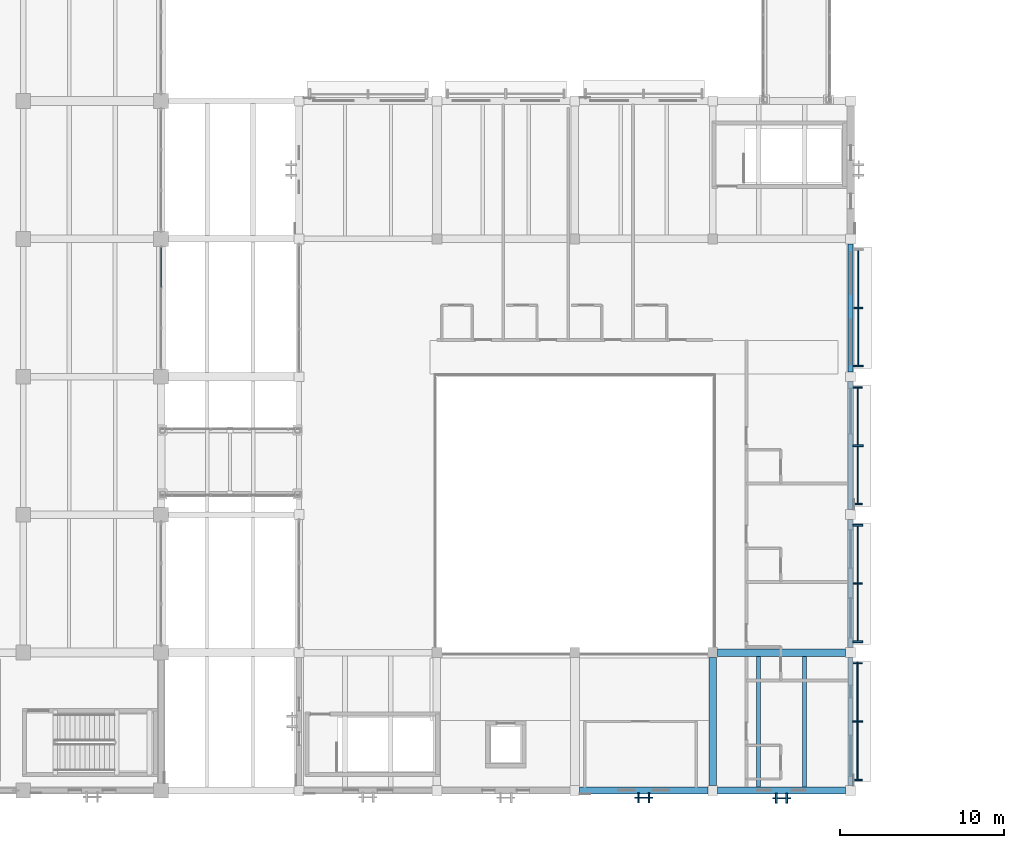
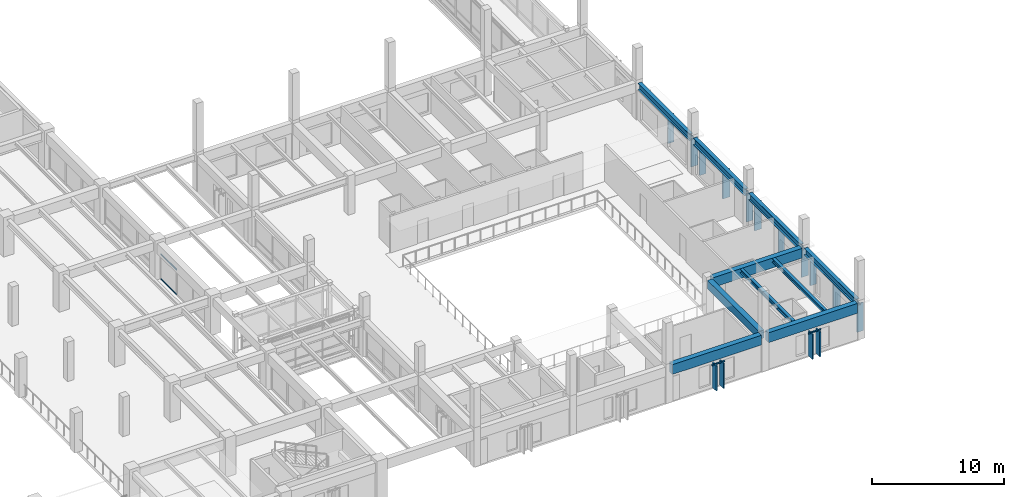
# One storey, part 22 of 118: 23 members, 10 beams, 7 elements without a shape of their own.
"""IFC4 building model written with IfcOpenShell, lengths in metres."""

from ifc_helpers import new_model, si_unit, direction, frame, origin, origin_2d, place, context, subcontext, project, spatial, rectangle, i_section, extrude, material, material_profile, profile_set, type_object, element, aggregate, save


model = new_model("IFC4")

# Units and contexts
model_context = context("Model", 3, precision=1e-05, world=origin(), true_north=direction((0.0, 1.0)))
body_context = subcontext(model_context, "Body", "Model", "MODEL_VIEW")
ifc_project = project(units=[si_unit("LENGTHUNIT", "METRE"), si_unit("AREAUNIT", "SQUARE_METRE"), si_unit("VOLUMEUNIT", "CUBIC_METRE"), si_unit("PLANEANGLEUNIT", "RADIAN"), si_unit("MASSUNIT", "GRAM", prefix="KILO")], contexts=[model_context])

# Site, building, storey
site_placement = place(None, origin())
site = spatial("IfcSite", under=ifc_project, at=site_placement, CompositionType="ELEMENT")
building_placement = place(site_placement, origin())
building = spatial("IfcBuilding", under=site, at=building_placement, Name="Cumbredor Promenade Congress Hotel", CompositionType="ELEMENT")
storey_placement = place(building_placement, frame((0.0, 0.0, 3.919921875)))
storey = spatial("IfcBuildingStorey", under=building, at=storey_placement, Name="L01", CompositionType="ELEMENT", Elevation=3.919921875)

# Beam
ifc_material_1 = material(Name="Concrete C40/50", Category="concrete")
ifc_material_profile_1 = material_profile(ifc_material_1, rectangle(XDim=0.449951171875, YDim=0.75, at=origin_2d()), Name="RC BEAM 450x750")
ifc_profile_set_1 = profile_set([ifc_material_profile_1], Name="Concrete C40/50")
beam_type_1 = type_object("IfcBeamType", Name="BM-RC-450x750", PredefinedType="BEAM", material=ifc_profile_set_1)
beam_1_placement = place(storey_placement, frame((100.800048828125, 8.699951171875, 2.985107421875), z_axis=(0.0, 1.0, 0.0), x_axis=(-1.0, 0.0, 0.0)))
element("IfcBeam", 1, at=beam_1_placement, inside=storey, type_object=beam_type_1, Name="L02 Y-Grid Beam 182", PredefinedType="BEAM", context=body_context, shape_type="SweptSolid", body=[
    extrude(rectangle(XDim=0.449951171875, YDim=0.75, at=origin_2d()), origin(), (0.0, 0.0, 1.0), 7.800048828125),
])

# Curtain wall, members
ifc_material_2 = material(Name="Thermally broken anodized aluminium and low-E glass", Category="aluminium")
curtain_wall_type_1 = type_object("IfcCurtainWallType", Name="Unitised Bronze Curtain Wall CW-01", PredefinedType="NOTDEFINED", material=ifc_material_2)
curtain_wall_1_placement = place(storey_placement, origin())
curtain_wall_1 = element("IfcCurtainWall", 2, at=curtain_wall_1_placement, inside=storey, type_object=curtain_wall_type_1, Name="L01 Plenary Congress Hall East Curtain Wall 4", PredefinedType="NOTDEFINED")
ifc_material_3 = material(Name="Thermally broken anodized aluminium", Category="aluminium")
ifc_material_profile_2 = material_profile(ifc_material_3, rectangle(XDim=0.06494140625, YDim=0.1298828125, at=origin_2d()), Name="ALU TRANSOM 65x130")
ifc_profile_set_2 = profile_set([ifc_material_profile_2], Name="Thermally broken anodized aluminium")
member_type_1 = type_object("IfcMemberType", Name="Curtain Wall Transom TR-01", PredefinedType="USERDEFINED", material=ifc_profile_set_2)
member_1_placement = place(storey_placement, frame((67.199951171875, 39.064208984375, 0.06005859375), z_axis=(0.0, 1.0, 0.0), x_axis=(-1.0, 0.0, 0.0)))
member_1 = element("IfcMember", 3, at=member_1_placement, type_object=member_type_1, Name="L01 Plenary Congress Hall East Curtain Wall 4 Transom 3.1", ObjectType="TRANSOM", PredefinedType="USERDEFINED", context=body_context, shape_type="SweptSolid", body=[
    extrude(rectangle(XDim=0.06494140625, YDim=0.1298828125, at=origin_2d()), origin(), (0.0, 0.0, 1.0), 2.398193359375),
])
member_2_placement = place(storey_placement, frame((67.199951171875, 39.064208984375, 2.330078125), z_axis=(0.0, 1.0, 0.0), x_axis=(-1.0, 0.0, 0.0)))
member_2 = element("IfcMember", 4, at=member_2_placement, type_object=member_type_1, Name="L01 Plenary Congress Hall East Curtain Wall 4 Transom 3.2", ObjectType="TRANSOM", PredefinedType="USERDEFINED", context=body_context, shape_type="SweptSolid", body=[
    extrude(rectangle(XDim=0.06494140625, YDim=0.1298828125, at=origin_2d()), origin(), (0.0, 0.0, 1.0), 2.398193359375),
])
aggregate(curtain_wall_1, [member_1, member_2])

# Curtain wall, member
curtain_wall_type_2 = type_object("IfcCurtainWallType", Name="Solar Brise-Soleil Screen Assembly CW-07", PredefinedType="NOTDEFINED", material=ifc_material_2)
curtain_wall_2_placement = place(storey_placement, origin())
curtain_wall_2 = element("IfcCurtainWall", 5, at=curtain_wall_2_placement, inside=storey, type_object=curtain_wall_type_2, Name="L01 Pier Brise-Soleil Screen 0190", PredefinedType="NOTDEFINED")
member_3_placement = place(storey_placement, frame((96.050048828125, 7.949951171875, 2.28515625), z_axis=(1.0, 0.0, 0.0), x_axis=(0.0, 1.0, 0.0)))
member_3 = element("IfcMember", 6, at=member_3_placement, type_object=member_type_1, Name="L01 Pier Brise-Soleil Header 0192", ObjectType="TRANSOM", PredefinedType="USERDEFINED", context=body_context, shape_type="SweptSolid", body=[
    extrude(rectangle(XDim=0.06494140625, YDim=0.1298828125, at=origin_2d()), origin(), (0.0, 0.0, 1.0), 1.099853515625),
])

curtain_wall_3_placement = place(storey_placement, origin())
curtain_wall_3 = element("IfcCurtainWall", 7, at=curtain_wall_3_placement, inside=storey, type_object=curtain_wall_type_2, Name="L01 Pier Brise-Soleil Screen 0193", PredefinedType="NOTDEFINED")
member_4_placement = place(storey_placement, frame((104.449951171875, 7.927490234375, 2.28515625), z_axis=(1.0, 0.0, 0.0), x_axis=(0.0, 1.0, 0.0)))
member_4 = element("IfcMember", 8, at=member_4_placement, type_object=member_type_1, Name="L01 Pier Brise-Soleil Header 0195", ObjectType="TRANSOM", PredefinedType="USERDEFINED", context=body_context, shape_type="SweptSolid", body=[
    extrude(rectangle(XDim=0.06494140625, YDim=0.1298828125, at=origin_2d()), origin(), (0.0, 0.0, 1.0), 1.10009765625),
])

curtain_wall_4_placement = place(storey_placement, origin())
curtain_wall_4 = element("IfcCurtainWall", 9, at=curtain_wall_4_placement, inside=storey, type_object=curtain_wall_type_2, Name="L01 Hospitality Brise-Soleil Screen 004", PredefinedType="NOTDEFINED")
member_5_placement = place(storey_placement, frame((109.62255859375, 9.0009765625, 2.55419921875), z_axis=(0.0, 1.0, 0.0), x_axis=(-1.0, 0.0, 0.0)))
member_5 = element("IfcMember", 10, at=member_5_placement, type_object=member_type_1, Name="L01 Brise-Soleil Screen Transom 004", ObjectType="TRANSOM", PredefinedType="USERDEFINED", context=body_context, shape_type="SweptSolid", body=[
    extrude(rectangle(XDim=0.06494140625, YDim=0.1298828125, at=origin_2d()), origin(), (0.0, 0.0, 1.0), 7.197998046875),
])

curtain_wall_5_placement = place(storey_placement, origin())
curtain_wall_5 = element("IfcCurtainWall", 11, at=curtain_wall_5_placement, inside=storey, type_object=curtain_wall_type_2, Name="L01 Hospitality Brise-Soleil Screen 005", PredefinedType="NOTDEFINED")
member_6_placement = place(storey_placement, frame((109.635009765625, 17.40087890625, 2.55419921875), z_axis=(0.0, 1.0, 0.0), x_axis=(-1.0, 0.0, 0.0)))
member_6 = element("IfcMember", 12, at=member_6_placement, type_object=member_type_1, Name="L01 Brise-Soleil Screen Transom 005", ObjectType="TRANSOM", PredefinedType="USERDEFINED", context=body_context, shape_type="SweptSolid", body=[
    extrude(rectangle(XDim=0.06494140625, YDim=0.1298828125, at=origin_2d()), origin(), (0.0, 0.0, 1.0), 7.1982421875),
])

curtain_wall_6_placement = place(storey_placement, origin())
curtain_wall_6 = element("IfcCurtainWall", 13, at=curtain_wall_6_placement, inside=storey, type_object=curtain_wall_type_2, Name="L01 Hospitality Brise-Soleil Screen 006", PredefinedType="NOTDEFINED")
member_7_placement = place(storey_placement, frame((109.64990234375, 25.801025390625, 2.55419921875), z_axis=(0.0, 1.0, 0.0), x_axis=(-1.0, 0.0, 0.0)))
member_7 = element("IfcMember", 14, at=member_7_placement, type_object=member_type_1, Name="L01 Brise-Soleil Screen Transom 006", ObjectType="TRANSOM", PredefinedType="USERDEFINED", context=body_context, shape_type="SweptSolid", body=[
    extrude(rectangle(XDim=0.06494140625, YDim=0.1298828125, at=origin_2d()), origin(), (0.0, 0.0, 1.0), 7.197998046875),
])

curtain_wall_7_placement = place(storey_placement, origin())
curtain_wall_7 = element("IfcCurtainWall", 15, at=curtain_wall_7_placement, inside=storey, type_object=curtain_wall_type_2, Name="L01 Hospitality Brise-Soleil Screen 007", PredefinedType="NOTDEFINED")
member_8_placement = place(storey_placement, frame((109.672607421875, 34.200927734375, 2.55419921875), z_axis=(0.0, 1.0, 0.0), x_axis=(-1.0, 0.0, 0.0)))
member_8 = element("IfcMember", 16, at=member_8_placement, type_object=member_type_1, Name="L01 Brise-Soleil Screen Transom 007", ObjectType="TRANSOM", PredefinedType="USERDEFINED", context=body_context, shape_type="SweptSolid", body=[
    extrude(rectangle(XDim=0.06494140625, YDim=0.1298828125, at=origin_2d()), origin(), (0.0, 0.0, 1.0), 7.197998046875),
])

# Beams
ifc_material_4 = material(Name="Steel ASTM A992 Grade 50", Category="steel")
ifc_material_profile_3 = material_profile(ifc_material_4, i_section(OverallWidth=0.2548828125, OverallDepth=0.35693359375, WebThickness=0.010498046875, FlangeThickness=0.018310546875, at=origin_2d()), Name="W14X68")
ifc_profile_set_3 = profile_set([ifc_material_profile_3], Name="Steel ASTM A992 Grade 50")
beam_type_2 = type_object("IfcBeamType", Name="JST-W14X68", PredefinedType="JOIST", material=ifc_profile_set_3)
for number, where, z_axis, x_axis, name in (
    (17, (103.60009765625, 8.625, 3.181640625), (0.0, 1.0, 0.0), (-1.0, 0.0, 0.0), "L02 Secondary Floor Joist 0108"),
    (18, (106.39990234375, 8.625, 3.181640625), (0.0, 1.0, 0.0), (-1.0, 0.0, 0.0), "L02 Secondary Floor Joist 0109"),
):
    element("IfcBeam", number, at=place(storey_placement, frame(where, z_axis=z_axis, x_axis=x_axis)), inside=storey, type_object=beam_type_2, Name=name, PredefinedType="JOIST", context=body_context, shape_type="SweptSolid", body=[
        extrude(i_section(OverallWidth=0.2548828125, OverallDepth=0.35693359375, WebThickness=0.010498046875, FlangeThickness=0.018310546875, at=origin_2d()), origin(), (0.0, 0.0, 1.0), 7.949951171875),
    ])
ifc_material_profile_4 = material_profile(ifc_material_1, rectangle(XDim=0.449951171875, YDim=0.89990234375, at=origin_2d()), Name="RC SPANDREL 450x900")
ifc_profile_set_4 = profile_set([ifc_material_profile_4], Name="Concrete C40/50")
beam_type_3 = type_object("IfcBeamType", Name="SP-RC-450x900", PredefinedType="SPANDREL", material=ifc_profile_set_4)
beam_2_placement = place(storey_placement, frame((92.699951171875, 8.39990234375, 2.91015625), z_axis=(1.0, 0.0, 0.0), x_axis=(0.0, 1.0, 0.0)))
element("IfcBeam", 19, at=beam_2_placement, inside=storey, type_object=beam_type_3, Name="L02 X-Grid Beam 167", PredefinedType="SPANDREL", context=body_context, shape_type="SweptSolid", body=[
    extrude(rectangle(XDim=0.449951171875, YDim=0.89990234375, at=origin_2d()), origin(), (0.0, 0.0, 1.0), 7.800048828125),
])
for number, where, z_axis, x_axis, name in (
    (20, (101.10009765625, 8.39990234375, 2.91015625), (1.0, 0.0, 0.0), (0.0, 1.0, 0.0), "L02 X-Grid Beam 181"),
    (21, (101.10009765625, 16.800048828125, 2.91015625), (1.0, 0.0, 0.0), (0.0, 1.0, 0.0), "L02 X-Grid Beam 183"),
):
    element("IfcBeam", number, at=place(storey_placement, frame(where, z_axis=z_axis, x_axis=x_axis)), inside=storey, type_object=beam_type_3, Name=name, PredefinedType="SPANDREL", context=body_context, shape_type="SweptSolid", body=[
        extrude(rectangle(XDim=0.449951171875, YDim=0.89990234375, at=origin_2d()), origin(), (0.0, 0.0, 1.0), 7.7998046875),
    ])
ifc_material_profile_5 = material_profile(ifc_material_4, i_section(OverallWidth=0.323974609375, OverallDepth=0.611083984375, WebThickness=0.0126953125, FlangeThickness=0.01904296875, at=origin_2d()), Name="W24X104")
ifc_profile_set_5 = profile_set([ifc_material_profile_5], Name="Steel ASTM A992 Grade 50")
beam_type_4 = type_object("IfcBeamType", Name="SP-W24X104", PredefinedType="SPANDREL", material=ifc_profile_set_5)
beam_3_placement = place(storey_placement, frame((109.199951171875, 8.699951171875, 3.0546875), z_axis=(0.0, 1.0, 0.0), x_axis=(-1.0, 0.0, 0.0)))
element("IfcBeam", 22, at=beam_3_placement, inside=storey, type_object=beam_type_4, Name="L02 Y-Grid Beam 194", PredefinedType="SPANDREL", context=body_context, shape_type="SweptSolid", body=[
    extrude(i_section(OverallWidth=0.323974609375, OverallDepth=0.611083984375, WebThickness=0.0126953125, FlangeThickness=0.01904296875, at=origin_2d()), origin(), (0.0, 0.0, 1.0), 7.800048828125),
])
beam_4_placement = place(storey_placement, frame((109.199951171875, 17.10009765625, 3.0546875), z_axis=(0.0, 1.0, 0.0), x_axis=(-1.0, 0.0, 0.0)))
element("IfcBeam", 23, at=beam_4_placement, inside=storey, type_object=beam_type_4, Name="L02 Y-Grid Beam 195", PredefinedType="SPANDREL", context=body_context, shape_type="SweptSolid", body=[
    extrude(i_section(OverallWidth=0.323974609375, OverallDepth=0.611083984375, WebThickness=0.0126953125, FlangeThickness=0.01904296875, at=origin_2d()), origin(), (0.0, 0.0, 1.0), 7.7998046875),
])
for number, where, z_axis, x_axis, name in (
    (24, (109.199951171875, 25.5, 3.0546875), (0.0, 1.0, 0.0), (-1.0, 0.0, 0.0), "L02 Y-Grid Beam 196"),
    (25, (109.199951171875, 33.89990234375, 3.0546875), (0.0, 1.0, 0.0), (-1.0, 0.0, 0.0), "L02 Y-Grid Beam 197"),
):
    element("IfcBeam", number, at=place(storey_placement, frame(where, z_axis=z_axis, x_axis=x_axis)), inside=storey, type_object=beam_type_4, Name=name, PredefinedType="SPANDREL", context=body_context, shape_type="SweptSolid", body=[
        extrude(i_section(OverallWidth=0.323974609375, OverallDepth=0.611083984375, WebThickness=0.0126953125, FlangeThickness=0.01904296875, at=origin_2d()), origin(), (0.0, 0.0, 1.0), 7.800048828125),
    ])

# Member
ifc_material_profile_6 = material_profile(ifc_material_3, rectangle(XDim=0.110107421875, YDim=0.6201171875, at=origin_2d()), Name="ARCH FIN 110x620")
ifc_profile_set_6 = profile_set([ifc_material_profile_6], Name="Thermally broken anodized aluminium")
member_type_2 = type_object("IfcMemberType", Name="Vertical Bronze Brise-Soleil Fin BSF-02 110x620", PredefinedType="USERDEFINED", material=ifc_profile_set_6)
member_9_placement = place(storey_placement, frame((96.280029296875, 7.949951171875, 0.02001953125), z_axis=(0.0, 0.0, 1.0), x_axis=(1.0, 0.0, 0.0)))
member_9 = element("IfcMember", 26, at=member_9_placement, type_object=member_type_2, Name="L01 Pier Brise-Soleil Fin 0191", ObjectType="SOLAR FIN", PredefinedType="USERDEFINED", context=body_context, shape_type="SweptSolid", body=[
    extrude(rectangle(XDim=0.110107421875, YDim=0.6201171875, at=origin_2d()), origin(), (0.0, 0.0, 1.0), 2.30517578125),
])

member_10_placement = place(storey_placement, frame((96.919921875, 7.949951171875, 0.02001953125), z_axis=(0.0, 0.0, 1.0), x_axis=(1.0, 0.0, 0.0)))
member_10 = element("IfcMember", 27, at=member_10_placement, type_object=member_type_2, Name="L01 Pier Brise-Soleil Fin 0192", ObjectType="SOLAR FIN", PredefinedType="USERDEFINED", context=body_context, shape_type="SweptSolid", body=[
    extrude(rectangle(XDim=0.110107421875, YDim=0.6201171875, at=origin_2d()), origin(), (0.0, 0.0, 1.0), 2.30517578125),
])

aggregate(curtain_wall_2, [member_9, member_10, member_3])

member_11_placement = place(storey_placement, frame((104.679931640625, 7.927490234375, 0.02001953125), z_axis=(0.0, 0.0, 1.0), x_axis=(1.0, 0.0, 0.0)))
member_11 = element("IfcMember", 28, at=member_11_placement, type_object=member_type_2, Name="L01 Pier Brise-Soleil Fin 0194", ObjectType="SOLAR FIN", PredefinedType="USERDEFINED", context=body_context, shape_type="SweptSolid", body=[
    extrude(rectangle(XDim=0.110107421875, YDim=0.6201171875, at=origin_2d()), origin(), (0.0, 0.0, 1.0), 2.30517578125),
])

member_12_placement = place(storey_placement, frame((105.320068359375, 7.927490234375, 0.02001953125), z_axis=(0.0, 0.0, 1.0), x_axis=(1.0, 0.0, 0.0)))
member_12 = element("IfcMember", 29, at=member_12_placement, type_object=member_type_2, Name="L01 Pier Brise-Soleil Fin 0195", ObjectType="SOLAR FIN", PredefinedType="USERDEFINED", context=body_context, shape_type="SweptSolid", body=[
    extrude(rectangle(XDim=0.110107421875, YDim=0.6201171875, at=origin_2d()), origin(), (0.0, 0.0, 1.0), 2.30517578125),
])

aggregate(curtain_wall_3, [member_11, member_12, member_4])

member_13_placement = place(storey_placement, frame((109.62255859375, 12.60009765625, 0.02001953125), z_axis=(0.0, 0.0, 1.0), x_axis=(0.0, 1.0, 0.0)))
member_13 = element("IfcMember", 30, at=member_13_placement, type_object=member_type_2, Name="L01 Vertical Brise-Soleil Fin 0212", ObjectType="SOLAR FIN", PredefinedType="USERDEFINED", context=body_context, shape_type="SweptSolid", body=[
    extrude(rectangle(XDim=0.110107421875, YDim=0.6201171875, at=origin_2d()), origin(), (0.0, 0.0, 1.0), 2.593994140625),
])

member_14_placement = place(storey_placement, frame((109.635009765625, 17.450927734375, 0.02001953125), z_axis=(0.0, 0.0, 1.0), x_axis=(0.0, 1.0, 0.0)))
member_14 = element("IfcMember", 31, at=member_14_placement, type_object=member_type_2, Name="L01 Vertical Brise-Soleil Fin 0214", ObjectType="SOLAR FIN", PredefinedType="USERDEFINED", context=body_context, shape_type="SweptSolid", body=[
    extrude(rectangle(XDim=0.110107421875, YDim=0.6201171875, at=origin_2d()), origin(), (0.0, 0.0, 1.0), 2.593994140625),
])

member_15_placement = place(storey_placement, frame((109.635009765625, 24.549072265625, 0.02001953125), z_axis=(0.0, 0.0, 1.0), x_axis=(0.0, 1.0, 0.0)))
member_15 = element("IfcMember", 32, at=member_15_placement, type_object=member_type_2, Name="L01 Vertical Brise-Soleil Fin 0216", ObjectType="SOLAR FIN", PredefinedType="USERDEFINED", context=body_context, shape_type="SweptSolid", body=[
    extrude(rectangle(XDim=0.110107421875, YDim=0.6201171875, at=origin_2d()), origin(), (0.0, 0.0, 1.0), 2.593994140625),
])

member_16_placement = place(storey_placement, frame((109.64990234375, 29.39990234375, 0.02001953125), z_axis=(0.0, 0.0, 1.0), x_axis=(0.0, 1.0, 0.0)))
member_16 = element("IfcMember", 33, at=member_16_placement, type_object=member_type_2, Name="L01 Vertical Brise-Soleil Fin 0218", ObjectType="SOLAR FIN", PredefinedType="USERDEFINED", context=body_context, shape_type="SweptSolid", body=[
    extrude(rectangle(XDim=0.110107421875, YDim=0.6201171875, at=origin_2d()), origin(), (0.0, 0.0, 1.0), 2.593994140625),
])

member_17_placement = place(storey_placement, frame((109.672607421875, 34.2509765625, 0.02001953125), z_axis=(0.0, 0.0, 1.0), x_axis=(0.0, 1.0, 0.0)))
member_17 = element("IfcMember", 34, at=member_17_placement, type_object=member_type_2, Name="L01 Vertical Brise-Soleil Fin 0220", ObjectType="SOLAR FIN", PredefinedType="USERDEFINED", context=body_context, shape_type="SweptSolid", body=[
    extrude(rectangle(XDim=0.110107421875, YDim=0.6201171875, at=origin_2d()), origin(), (0.0, 0.0, 1.0), 2.593994140625),
])

ifc_material_5 = material(Name="Kiln-dried tropical hardwood", Category="wood")
ifc_material_profile_7 = material_profile(ifc_material_5, rectangle(XDim=0.090087890625, YDim=0.550048828125, at=origin_2d()), Name="ARCH FIN 90x550")
ifc_profile_set_7 = profile_set([ifc_material_profile_7], Name="Kiln-dried tropical hardwood")
member_type_3 = type_object("IfcMemberType", Name="Vertical Hardwood Brise-Soleil Fin BSF-01 90x550", PredefinedType="USERDEFINED", material=ifc_profile_set_7)
member_18_placement = place(storey_placement, frame((109.62255859375, 9.051025390625, 0.02001953125), z_axis=(0.0, 0.0, 1.0), x_axis=(0.0, 1.0, 0.0)))
member_18 = element("IfcMember", 35, at=member_18_placement, type_object=member_type_3, Name="L01 Vertical Brise-Soleil Fin 0211", ObjectType="SOLAR FIN", PredefinedType="USERDEFINED", context=body_context, shape_type="SweptSolid", body=[
    extrude(rectangle(XDim=0.090087890625, YDim=0.550048828125, at=origin_2d()), origin(), (0.0, 0.0, 1.0), 2.593994140625),
])

member_19_placement = place(storey_placement, frame((109.62255859375, 16.14892578125, 0.02001953125), z_axis=(0.0, 0.0, 1.0), x_axis=(0.0, 1.0, 0.0)))
member_19 = element("IfcMember", 36, at=member_19_placement, type_object=member_type_3, Name="L01 Vertical Brise-Soleil Fin 0213", ObjectType="SOLAR FIN", PredefinedType="USERDEFINED", context=body_context, shape_type="SweptSolid", body=[
    extrude(rectangle(XDim=0.090087890625, YDim=0.550048828125, at=origin_2d()), origin(), (0.0, 0.0, 1.0), 2.593994140625),
])

aggregate(curtain_wall_4, [member_5, member_18, member_13, member_19])

member_20_placement = place(storey_placement, frame((109.635009765625, 21.0, 0.02001953125), z_axis=(0.0, 0.0, 1.0), x_axis=(0.0, 1.0, 0.0)))
member_20 = element("IfcMember", 37, at=member_20_placement, type_object=member_type_3, Name="L01 Vertical Brise-Soleil Fin 0215", ObjectType="SOLAR FIN", PredefinedType="USERDEFINED", context=body_context, shape_type="SweptSolid", body=[
    extrude(rectangle(XDim=0.090087890625, YDim=0.550048828125, at=origin_2d()), origin(), (0.0, 0.0, 1.0), 2.593994140625),
])

aggregate(curtain_wall_5, [member_6, member_14, member_20, member_15])

member_21_placement = place(storey_placement, frame((109.64990234375, 25.85107421875, 0.02001953125), z_axis=(0.0, 0.0, 1.0), x_axis=(0.0, 1.0, 0.0)))
member_21 = element("IfcMember", 38, at=member_21_placement, type_object=member_type_3, Name="L01 Vertical Brise-Soleil Fin 0217", ObjectType="SOLAR FIN", PredefinedType="USERDEFINED", context=body_context, shape_type="SweptSolid", body=[
    extrude(rectangle(XDim=0.090087890625, YDim=0.550048828125, at=origin_2d()), origin(), (0.0, 0.0, 1.0), 2.593994140625),
])

member_22_placement = place(storey_placement, frame((109.64990234375, 32.948974609375, 0.02001953125), z_axis=(0.0, 0.0, 1.0), x_axis=(0.0, 1.0, 0.0)))
member_22 = element("IfcMember", 39, at=member_22_placement, type_object=member_type_3, Name="L01 Vertical Brise-Soleil Fin 0219", ObjectType="SOLAR FIN", PredefinedType="USERDEFINED", context=body_context, shape_type="SweptSolid", body=[
    extrude(rectangle(XDim=0.090087890625, YDim=0.550048828125, at=origin_2d()), origin(), (0.0, 0.0, 1.0), 2.593994140625),
])

aggregate(curtain_wall_6, [member_7, member_21, member_16, member_22])

member_23_placement = place(storey_placement, frame((109.672607421875, 37.800048828125, 0.02001953125), z_axis=(0.0, 0.0, 1.0), x_axis=(0.0, 1.0, 0.0)))
member_23 = element("IfcMember", 40, at=member_23_placement, type_object=member_type_3, Name="L01 Vertical Brise-Soleil Fin 0221", ObjectType="SOLAR FIN", PredefinedType="USERDEFINED", context=body_context, shape_type="SweptSolid", body=[
    extrude(rectangle(XDim=0.090087890625, YDim=0.550048828125, at=origin_2d()), origin(), (0.0, 0.0, 1.0), 2.593994140625),
])

aggregate(curtain_wall_7, [member_8, member_17, member_23])

save(model, "model.ifc")
